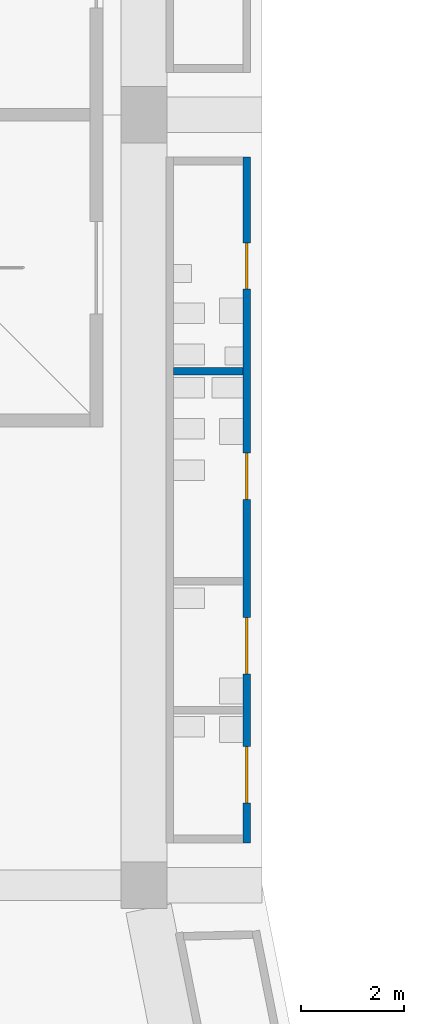
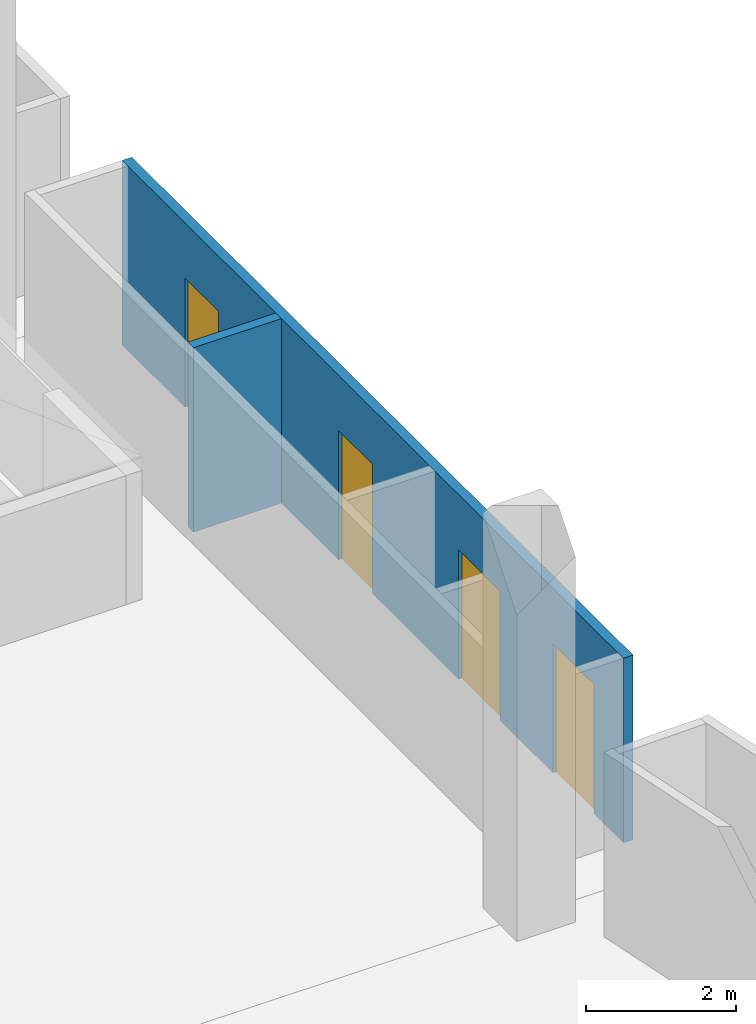
# One storey, part 66 of 130: 4 doors, 2 walls, 4 openings.
"""IFC4 building model written with IfcOpenShell, lengths in metres."""

import ifcopenshell
import ifcopenshell.guid

model = None  # the IFC model being written
_history = None  # IfcOwnerHistory: only IFC2X3 demands one
_inside = {}  # id of a spatial element -> (the spatial element, [elements in it])
_under = {}  # id of a project, library or spatial element -> (it, [spatial elements below it])
_declared = {}  # id of a project -> (the project, [libraries it declares])
_typed = {}  # id of a type object -> (the type object, [elements of that type])
_made_of = {}  # id of a material, layer set ... -> (it, [elements and type objects made of it])


def new_model(schema):
    """Start an empty IFC model of exactly this schema.

    Asked for "IFC4X3", IfcOpenShell would pick the latest addendum, in which some entities
    have other attributes; the version numbers below select the first issue.
    IFC2X3 requires an IfcOwnerHistory on every rooted entity: one is made here for all.
    """
    global model, _history
    if schema == "IFC4X3":
        model = ifcopenshell.file(schema_version=(4, 3, 0, 0))
    else:
        model = ifcopenshell.file(schema=schema)
    _inside.clear()
    _under.clear()
    _declared.clear()
    _typed.clear()
    _made_of.clear()
    _history = None
    if model.schema == "IFC2X3":
        org = make("IfcOrganization", Name="unknown")
        user = make(
            "IfcPersonAndOrganization",
            ThePerson=make("IfcPerson", FamilyName="unknown"),
            TheOrganization=org,
        )
        app = make(
            "IfcApplication",
            ApplicationDeveloper=org,
            Version="unknown",
            ApplicationFullName="unknown",
            ApplicationIdentifier="unknown",
        )
        _history = make(
            "IfcOwnerHistory",
            OwningUser=user,
            OwningApplication=app,
            ChangeAction="ADDED",
            CreationDate=0,
        )
    return model


def make(cls, **values):
    """One entity of the class cls with the attributes given. An attribute that is None is left unset."""
    return model.create_entity(
        cls, **{name: value for name, value in values.items() if value is not None}
    )


def rooted(cls, **values):
    """An entity with a GlobalId (a new one), such as an element, a storey or a relation."""
    return make(cls, GlobalId=ifcopenshell.guid.new(), OwnerHistory=_history, **values)


def si_unit(unit_type, name, prefix=None):
    """IfcSIUnit, for example si_unit("LENGTHUNIT", "METRE", prefix="MILLI")."""
    return make("IfcSIUnit", UnitType=unit_type, Prefix=prefix, Name=name)


def assignment(units):
    """IfcUnitAssignment: the units of a project."""
    return None if units is None else make("IfcUnitAssignment", Units=units)


def point(xyz):
    """IfcCartesianPoint."""
    return None if xyz is None else make("IfcCartesianPoint", Coordinates=xyz)


def direction(xyz):
    """IfcDirection."""
    return None if xyz is None else make("IfcDirection", DirectionRatios=xyz)


def frame(location, z_axis=None, x_axis=None):
    """IfcAxis2Placement3D, a coordinate frame: its origin and axes. An axis left out is left unset."""
    return make(
        "IfcAxis2Placement3D",
        Location=point(location),
        Axis=direction(z_axis),
        RefDirection=direction(x_axis),
    )


def frame_2d(location, x_axis=None):
    """IfcAxis2Placement2D, a coordinate frame in the plane: its origin and x axis."""
    return make(
        "IfcAxis2Placement2D", Location=point(location), RefDirection=direction(x_axis)
    )


def origin():
    """The frame at (0, 0, 0) with its axes left unset."""
    return frame((0.0, 0.0, 0.0))


def place(relative_to, where):
    """IfcLocalPlacement: puts the frame where relative to a parent placement (None: the world)."""
    return make(
        "IfcLocalPlacement", PlacementRelTo=relative_to, RelativePlacement=where
    )


def context(
    kind, dimensions, precision=None, world=None, true_north=None, identifier=None
):
    """IfcGeometricRepresentationContext, for example the 3D "Model" context."""
    return make(
        "IfcGeometricRepresentationContext",
        ContextIdentifier=identifier,
        ContextType=kind,
        CoordinateSpaceDimension=dimensions,
        Precision=precision,
        WorldCoordinateSystem=world,
        TrueNorth=true_north,
    )


def subcontext(parent, identifier, kind, view, scale=None):
    """IfcGeometricRepresentationSubContext, for example "Body" below "Model"."""
    return make(
        "IfcGeometricRepresentationSubContext",
        ContextIdentifier=identifier,
        ContextType=kind,
        ParentContext=parent,
        TargetScale=scale,
        TargetView=view,
    )


def project(units=None, contexts=None):
    """IfcProject with its units and contexts."""
    return rooted(
        "IfcProject",
        Name="project",
        RepresentationContexts=contexts,
        UnitsInContext=assignment(units),
    )


def spatial(cls, under=None, at=None, **own):
    """A site, building, storey or space (cls), placed at a placement, below another one or the project."""
    s = rooted(cls, ObjectPlacement=at, **own)
    if under is not None:
        _under.setdefault(under.id(), (under, []))[1].append(s)
    return s


def profile(cls, at=None, kind="AREA", **sizes):
    """A parametric profile (cls). Its sizes go by their IFC names, for example OverallWidth=200.0."""
    return make(cls, ProfileType=kind, Position=at, **sizes)


def rectangle(**sizes):
    """IfcRectangleProfileDef."""
    return profile("IfcRectangleProfileDef", **sizes)


def extrude(swept, where, along, depth):
    """IfcExtrudedAreaSolid: the profile swept, set in the frame where, extruded along a direction by depth."""
    return make(
        "IfcExtrudedAreaSolid",
        SweptArea=swept,
        Position=where,
        ExtrudedDirection=direction(along),
        Depth=depth,
    )


def shape(context_of_items, identifier, shape_type, items):
    """IfcShapeRepresentation: the items that make up one representation, for example the "Body"."""
    return make(
        "IfcShapeRepresentation",
        ContextOfItems=context_of_items,
        RepresentationIdentifier=identifier,
        RepresentationType=shape_type,
        Items=items,
    )


def material(Name=None, Category=None):
    """IfcMaterial."""
    return make("IfcMaterial", Name=Name, Category=Category)


def layer(
    of_material, thickness, ventilated=None, Name=None, Category=None, Priority=None
):
    """IfcMaterialLayer: one layer of a wall or slab, of a material (None: an air gap)."""
    return make(
        "IfcMaterialLayer",
        Material=of_material,
        LayerThickness=thickness,
        IsVentilated=ventilated,
        Name=Name,
        Category=Category,
        Priority=Priority,
    )


def layer_set(layers, Name=None):
    """IfcMaterialLayerSet."""
    return make("IfcMaterialLayerSet", MaterialLayers=layers, LayerSetName=Name)


def made_of(thing, what):
    """Note that an element or type object is made of a material, layer set ...; save() writes the relation."""
    if what is not None:
        _made_of.setdefault(what.id(), (what, []))[1].append(thing)
    return thing


def type_object(cls, material=None, **own):
    """A type object (cls), such as IfcWallType, which elements share."""
    return made_of(rooted(cls, **own), material)


def element(
    cls,
    number,
    at=None,
    inside=None,
    cuts=None,
    type_object=None,
    material=None,
    context=None,
    identifier="Body",
    shape_type=None,
    held_by="IfcProductDefinitionShape",
    body=None,
    shapes=None,
    **own,
):
    """One element of the class cls, such as IfcWall. Its Tag is "e" and its number.

    at: its placement. inside: the storey or other place that contains it. cuts: it is an
    opening in that element (IfcRelVoidsElement). A single representation is given by context,
    identifier, shape_type and body (its items); several are given by shapes. held_by: the class
    of the entity that holds the representations. save() writes the other relations.
    """
    e = rooted(cls, Tag="e%d" % number, ObjectPlacement=at, **own)
    if body is not None:
        shapes = [shape(context, identifier, shape_type, body)]
    if shapes is not None:
        e.Representation = make(held_by, Representations=shapes)
    if inside is not None:
        _inside.setdefault(inside.id(), (inside, []))[1].append(e)
    if cuts is not None:
        rooted(
            "IfcRelVoidsElement", RelatingBuildingElement=cuts, RelatedOpeningElement=e
        )
    if type_object is not None:
        _typed.setdefault(type_object.id(), (type_object, []))[1].append(e)
    return made_of(e, material)


def fill(opening, filler):
    """IfcRelFillsElement: the door or window that sits in an opening."""
    return rooted(
        "IfcRelFillsElement",
        RelatingOpeningElement=opening,
        RelatedBuildingElement=filler,
    )


def aggregate(whole, parts):
    """IfcRelAggregates: a whole, such as a stair, and the parts it consists of."""
    return rooted("IfcRelAggregates", RelatingObject=whole, RelatedObjects=parts)


def save(model, path):
    """Write the relations noted so far, then the file.

    IfcRelAggregates (storeys below a building ...), IfcRelContainedInSpatialStructure (elements
    in a storey), IfcRelDefinesByType, IfcRelAssociatesMaterial and IfcRelDeclares: one each for
    every whole, place, type object, material and project.
    """
    for whole, parts in _under.values():
        aggregate(whole, parts)
    for where, things in _inside.values():
        rooted(
            "IfcRelContainedInSpatialStructure",
            RelatedElements=things,
            RelatingStructure=where,
        )
    for kind, things in _typed.values():
        rooted("IfcRelDefinesByType", RelatedObjects=things, RelatingType=kind)
    for what, things in _made_of.values():
        rooted("IfcRelAssociatesMaterial", RelatedObjects=things, RelatingMaterial=what)
    for by, libraries in _declared.values():
        rooted("IfcRelDeclares", RelatingContext=by, RelatedDefinitions=libraries)
    model.write(path)


model = new_model("IFC4")

# Units and contexts
model_context = context("Model", 3, precision=1e-05, world=origin(), true_north=direction((0.0, 1.0)))
body_context = subcontext(model_context, "Body", "Model", "MODEL_VIEW")
ifc_project = project(units=[si_unit("LENGTHUNIT", "METRE"), si_unit("AREAUNIT", "SQUARE_METRE"), si_unit("VOLUMEUNIT", "CUBIC_METRE"), si_unit("PLANEANGLEUNIT", "RADIAN"), si_unit("MASSUNIT", "GRAM", prefix="KILO")], contexts=[model_context])

# Site, building, storey
site_placement = place(None, origin())
site = spatial("IfcSite", under=ifc_project, at=site_placement, CompositionType="ELEMENT")
building_placement = place(site_placement, origin())
building = spatial("IfcBuilding", under=site, at=building_placement, Name="Ogive Plaza Stadium", CompositionType="ELEMENT")
storey_placement = place(building_placement, frame((0.0, 0.0, 22.5)))
storey = spatial("IfcBuildingStorey", under=building, at=storey_placement, Name="L05", CompositionType="ELEMENT", Elevation=22.5)

# Wall, openings, doors
ifc_material_1 = material(Name="Gypsum board partition", Category="gypsum")
ifc_layer = layer(ifc_material_1, 0.14990234375)
ifc_layer_set = layer_set([ifc_layer], Name="Partition 150")
wall_type = type_object("IfcWallType", Name="Partition 150", PredefinedType="PARTITIONING", material=ifc_layer_set)
wall_1_placement = place(storey_placement, frame((-72.0, -38.324951171875, 0.0), z_axis=(0.0, 0.0, 1.0), x_axis=(0.0, -1.0, 0.0)))
wall_1 = element("IfcWall", 1, at=wall_1_placement, inside=storey, type_object=wall_type, Name="Wall L05 B21", PredefinedType="PARTITIONING", context=body_context, shape_type="SweptSolid", body=[
    extrude(rectangle(XDim=13.35009765625, YDim=0.14990234375, at=frame_2d((6.675048828125, 0.0))), origin(), (0.0, 0.0, 1.0), 3.0),
])
opening_1_placement = place(wall_1_placement, frame((1.6708984375, 0.0, 0.0)))
opening_1 = element("IfcOpeningElement", 2, at=opening_1_placement, cuts=wall_1, Name="Opening D0977", PredefinedType="OPENING", context=body_context, shape_type="SweptSolid", body=[
    extrude(rectangle(XDim=0.89990234375, YDim=2.10009765625, at=frame_2d((0.449951171875, 1.050048828125))), frame((0.0, 0.074951171875, 0.0), z_axis=(0.0, -1.0, 0.0), x_axis=(1.0, 0.0, 0.0)), (0.0, 0.0, 1.0), 0.14990234375),
])
opening_2_placement = place(wall_1_placement, frame((5.762939453125, 0.0, 0.0)))
opening_2 = element("IfcOpeningElement", 3, at=opening_2_placement, cuts=wall_1, Name="Opening D0978", PredefinedType="OPENING", context=body_context, shape_type="SweptSolid", body=[
    extrude(rectangle(XDim=0.89990234375, YDim=2.10009765625, at=frame_2d((0.449951171875, 1.050048828125))), frame((0.0, 0.074951171875, 0.0), z_axis=(0.0, -1.0, 0.0), x_axis=(1.0, 0.0, 0.0)), (0.0, 0.0, 1.0), 0.14990234375),
])
opening_3_placement = place(wall_1_placement, frame((8.962890625, 0.0, 0.0)))
opening_3 = element("IfcOpeningElement", 4, at=opening_3_placement, cuts=wall_1, Name="Opening D0979", PredefinedType="OPENING", context=body_context, shape_type="SweptSolid", body=[
    extrude(rectangle(XDim=1.10009765625, YDim=2.10009765625, at=frame_2d((0.550048828125, 1.050048828125))), frame((0.0, 0.074951171875, 0.0), z_axis=(0.0, -1.0, 0.0), x_axis=(1.0, 0.0, 0.0)), (0.0, 0.0, 1.0), 0.14990234375),
])
opening_4_placement = place(wall_1_placement, frame((11.470947265625, 0.0, 0.0)))
opening_4 = element("IfcOpeningElement", 5, at=opening_4_placement, cuts=wall_1, Name="Opening D0980", PredefinedType="OPENING", context=body_context, shape_type="SweptSolid", body=[
    extrude(rectangle(XDim=1.10009765625, YDim=2.10009765625, at=frame_2d((0.550048828125, 1.050048828125))), frame((0.0, 0.074951171875, 0.0), z_axis=(0.0, -1.0, 0.0), x_axis=(1.0, 0.0, 0.0)), (0.0, 0.0, 1.0), 0.14990234375),
])
ifc_material_2 = material(Name="Steel ASTM A572 Grade 50", Category="steel")
door_type_1 = type_object("IfcDoorType", Name="Accessible door 1100 x 2100", OperationType="SINGLE_SWING_LEFT", PredefinedType="DOOR", material=ifc_material_2)
door_1_placement = place(opening_3_placement, origin())
door_1 = element("IfcDoor", 6, at=door_1_placement, inside=storey, type_object=door_type_1, Name="Accessible WC B21 door", OperationType="SINGLE_SWING_RIGHT", OverallHeight=2.10009765625, OverallWidth=1.10009765625, PredefinedType="DOOR", context=body_context, shape_type="SweptSolid", body=[
    extrude(rectangle(XDim=1.10009765625, YDim=2.10009765625, at=frame_2d((0.550048828125, 1.050048828125))), frame((0.0, 0.02490234375, 0.0), z_axis=(0.0, -1.0, 0.0), x_axis=(1.0, 0.0, 0.0)), (0.0, 0.0, 1.0), 0.050048828125),
])
fill(opening_3, door_1)
door_2_placement = place(opening_4_placement, origin())
door_2 = element("IfcDoor", 7, at=door_2_placement, inside=storey, type_object=door_type_1, Name="Family WC B21 door", OperationType="SINGLE_SWING_LEFT", OverallHeight=2.10009765625, OverallWidth=1.10009765625, PredefinedType="DOOR", context=body_context, shape_type="SweptSolid", body=[
    extrude(rectangle(XDim=1.10009765625, YDim=2.10009765625, at=frame_2d((0.550048828125, 1.050048828125))), frame((0.0, 0.02490234375, 0.0), z_axis=(0.0, -1.0, 0.0), x_axis=(1.0, 0.0, 0.0)), (0.0, 0.0, 1.0), 0.050048828125),
])
fill(opening_4, door_2)
ifc_material_3 = material(Name="Steel ASTM A572 Grade 50", Category="steel")
door_type_2 = type_object("IfcDoorType", Name="Door 900 x 2100", OperationType="SINGLE_SWING_LEFT", PredefinedType="DOOR", material=ifc_material_3)
door_3_placement = place(opening_1_placement, origin())
door_3 = element("IfcDoor", 8, at=door_3_placement, inside=storey, type_object=door_type_2, Name="Men's Toilet B21 door", OperationType="SINGLE_SWING_RIGHT", OverallHeight=2.10009765625, OverallWidth=0.89990234375, PredefinedType="DOOR", context=body_context, shape_type="SweptSolid", body=[
    extrude(rectangle(XDim=0.89990234375, YDim=2.10009765625, at=frame_2d((0.449951171875, 1.050048828125))), frame((0.0, 0.02490234375, 0.0), z_axis=(0.0, -1.0, 0.0), x_axis=(1.0, 0.0, 0.0)), (0.0, 0.0, 1.0), 0.050048828125),
])
fill(opening_1, door_3)
door_4_placement = place(opening_2_placement, origin())
door_4 = element("IfcDoor", 9, at=door_4_placement, inside=storey, type_object=door_type_2, Name="Women's Toilet B21 door", OperationType="SINGLE_SWING_LEFT", OverallHeight=2.10009765625, OverallWidth=0.89990234375, PredefinedType="DOOR", context=body_context, shape_type="SweptSolid", body=[
    extrude(rectangle(XDim=0.89990234375, YDim=2.10009765625, at=frame_2d((0.449951171875, 1.050048828125))), frame((0.0, 0.02490234375, 0.0), z_axis=(0.0, -1.0, 0.0), x_axis=(1.0, 0.0, 0.0)), (0.0, 0.0, 1.0), 0.050048828125),
])
fill(opening_2, door_4)

# Wall
wall_2_placement = place(storey_placement, frame((-72.074951171875, -42.491943359375, 0.0), z_axis=(0.0, 0.0, 1.0), x_axis=(-1.0, 0.0, 0.0)))
element("IfcWall", 10, at=wall_2_placement, inside=storey, type_object=wall_type, Name="Wall L05 B21", PredefinedType="PARTITIONING", context=body_context, shape_type="SweptSolid", body=[
    extrude(rectangle(XDim=1.35009765625, YDim=0.14990234375, at=frame_2d((0.675048828125, 0.0))), origin(), (0.0, 0.0, 1.0), 3.0),
])

save(model, "model.ifc")
